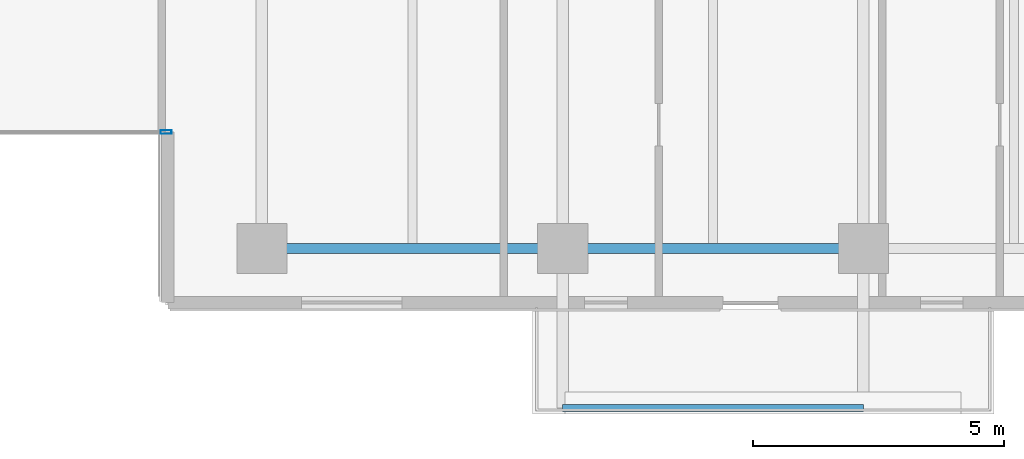
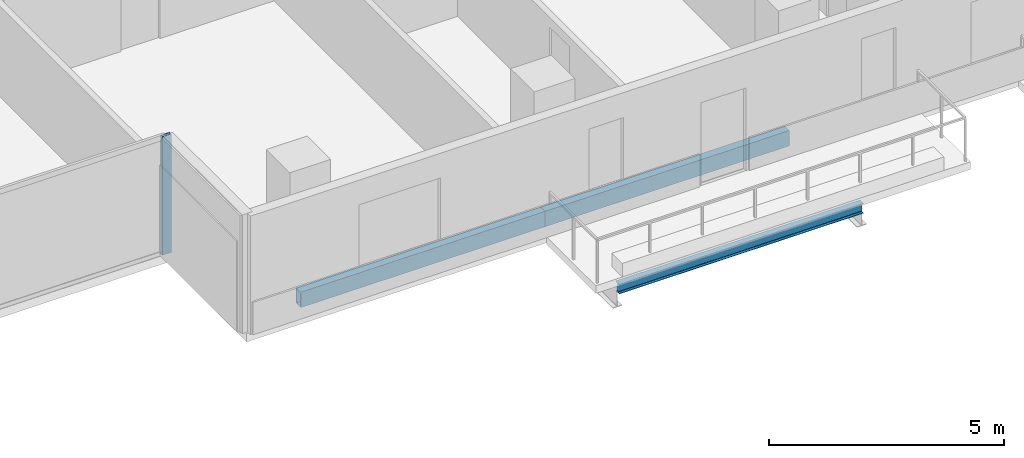
# One storey, part 4 of 23: 3 beams, 1 member, 1 element without a shape of its own.
"""IFC4 building model written with IfcOpenShell, lengths in metres."""

from ifc_helpers import new_model, si_unit, direction, frame, origin, origin_2d, place, context, subcontext, project, spatial, hollow_rectangle, i_section, extrude, material, layer, layer_set, material_profile, profile_set, type_object, element, aggregate, save


model = new_model("IFC4")

# Units and contexts
model_context = context("Model", 3, precision=1e-05, world=origin(), true_north=direction((0.0, 1.0)))
body_context = subcontext(model_context, "Body", "Model", "MODEL_VIEW")
ifc_project = project(units=[si_unit("LENGTHUNIT", "METRE"), si_unit("AREAUNIT", "SQUARE_METRE"), si_unit("VOLUMEUNIT", "CUBIC_METRE"), si_unit("PLANEANGLEUNIT", "RADIAN"), si_unit("MASSUNIT", "GRAM", prefix="KILO")], contexts=[model_context])

# Site, building, storey
site_placement = place(None, origin())
site = spatial("IfcSite", under=ifc_project, at=site_placement, CompositionType="ELEMENT")
building_placement = place(site_placement, origin())
building = spatial("IfcBuilding", under=site, at=building_placement, Name="Tanjung Sevakor Pilgrim Tower", CompositionType="ELEMENT")
storey_placement = place(building_placement, frame((0.0, 0.0, 101.969970703125)))
storey = spatial("IfcBuildingStorey", under=building, at=storey_placement, Name="L28", CompositionType="ELEMENT", Elevation=101.969970703125)

# Beams
ifc_material_1 = material(Name="Steel S355J2", Category="steel")
ifc_material_profile_1 = material_profile(ifc_material_1, i_section(OverallWidth=0.146484375, OverallDepth=0.256103515625, WebThickness=0.00634765625, FlangeThickness=0.010986328125, FilletRadius=0.007568359375, at=origin_2d()))
ifc_profile_set_1 = profile_set([ifc_material_profile_1], Name="Steel S355J2")
beam_type_1 = type_object("IfcBeamType", Name="BM-B-J6-UB_254x146x37", PredefinedType="JOIST", material=ifc_profile_set_1)
beam_placement = place(storey_placement, frame((60.0, 7.6201171875, -0.327880859375), z_axis=(1.0, 0.0, 0.0), x_axis=(0.0, 1.0, 0.0)))
element("IfcBeam", 1, at=beam_placement, inside=storey, type_object=beam_type_1, Name="L28 Balcony Rim Tie MAIN-S2", PredefinedType="JOIST", context=body_context, shape_type="SweptSolid", body=[
    extrude(i_section(OverallWidth=0.146484375, OverallDepth=0.256103515625, WebThickness=0.00634765625, FlangeThickness=0.010986328125, FilletRadius=0.007568359375, at=origin_2d()), origin(), (0.0, 0.0, 1.0), 6.0),
])
ifc_material_2 = material(Name="Steel S355J2", Category="steel")
ifc_material_profile_2 = material_profile(ifc_material_2, hollow_rectangle(XDim=0.199951171875, YDim=0.39990234375, WallThickness=0.01611328125, at=origin_2d()))
ifc_profile_set_2 = profile_set([ifc_material_profile_2], Name="Steel S355J2")
beam_type_2 = type_object("IfcBeamType", Name="BM-B-SP2-RHS_400x200x16", PredefinedType="SPANDREL", material=ifc_profile_set_2)
for number, where, z_axis, x_axis, name in (
    (2, (54.0, 10.800048828125, -0.419921875), (1.0, 0.0, 0.0), (0.0, 1.0, 0.0), "L28 Spandrel MAIN S-07"),
    (3, (60.0, 10.800048828125, -0.419921875), (1.0, 0.0, 0.0), (0.0, 1.0, 0.0), "L28 Spandrel MAIN S-09"),
):
    element("IfcBeam", number, at=place(storey_placement, frame(where, z_axis=z_axis, x_axis=x_axis)), inside=storey, type_object=beam_type_2, Name=name, PredefinedType="SPANDREL", context=body_context, shape_type="SweptSolid", body=[
        extrude(hollow_rectangle(XDim=0.199951171875, YDim=0.39990234375, WallThickness=0.01611328125, at=origin_2d()), origin(), (0.0, 0.0, 1.0), 6.0),
    ])

# Curtain wall, member
ifc_material_3 = material(Name="Aluminium 6063-T6 and Low-E Glass", Category="aluminium")
ifc_layer = layer(ifc_material_3, 0.179931640625)
ifc_layer_set = layer_set([ifc_layer], Name="CW-SYS-CLEFT")
curtain_wall_type = type_object("IfcCurtainWallType", Name="CW-SYS-CLEFT", PredefinedType="NOTDEFINED", material=ifc_layer_set)
curtain_wall_placement = place(storey_placement, origin())
curtain_wall = element("IfcCurtainWall", 4, at=curtain_wall_placement, inside=storey, type_object=curtain_wall_type, Name="L28 Curtain Wall CW-CLF-L28-2", PredefinedType="NOTDEFINED")
ifc_material_4 = material(Name="Aluminium 6063-T6", Category="aluminium")
ifc_material_profile_3 = material_profile(ifc_material_4, hollow_rectangle(XDim=0.074951171875, YDim=0.219970703125, WallThickness=0.0048828125, at=origin_2d()))
ifc_profile_set_3 = profile_set([ifc_material_profile_3], Name="Aluminium 6063-T6")
member_type = type_object("IfcMemberType", Name="TYPE-CWM-2", PredefinedType="MULLION", material=ifc_profile_set_3)
member_placement = place(storey_placement, frame((52.08740234375, 13.125, 0.0), z_axis=(0.0, 0.0, 1.0), x_axis=(0.0, 1.0, 0.0)))
member = element("IfcMember", 5, at=member_placement, type_object=member_type, Name="CW-CLF mullion 2", PredefinedType="MULLION", context=body_context, shape_type="SweptSolid", body=[
    extrude(hollow_rectangle(XDim=0.074951171875, YDim=0.219970703125, WallThickness=0.0048828125, at=origin_2d()), origin(), (0.0, 0.0, 1.0), 3.080078125),
])
aggregate(curtain_wall, [member])

save(model, "model.ifc")
